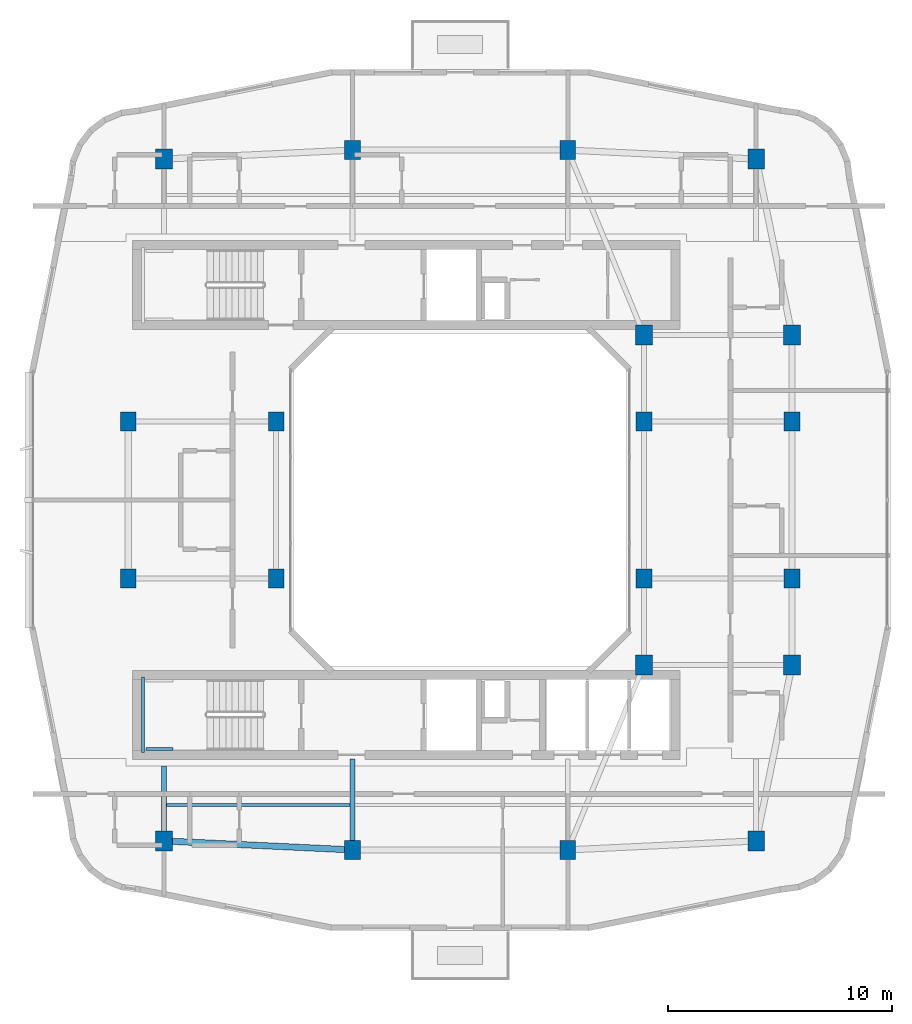
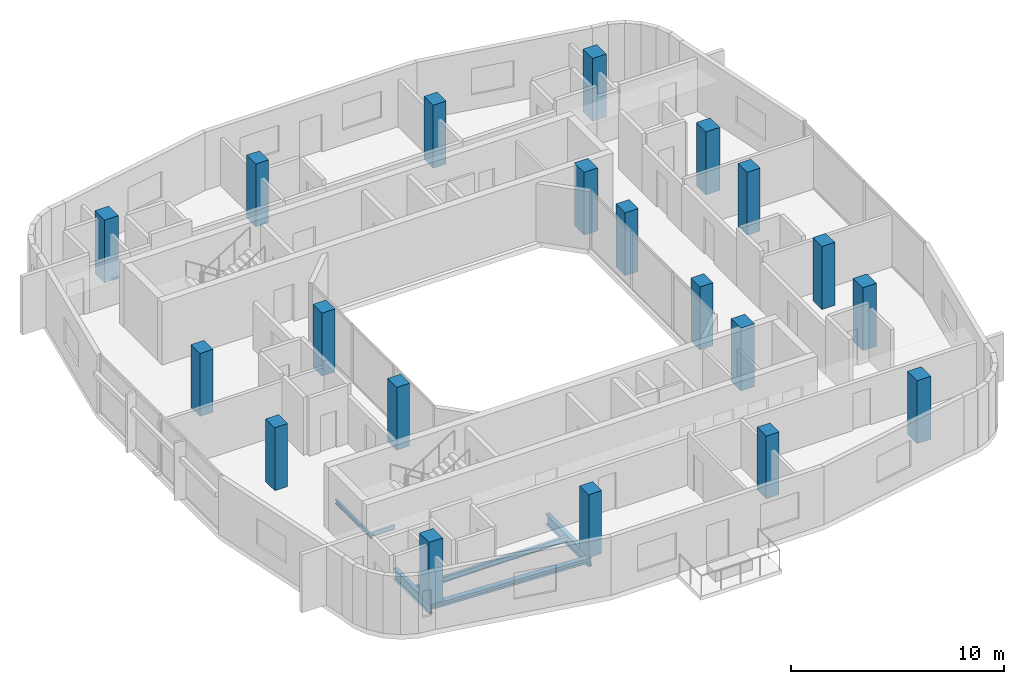
# One storey, part 1 of 13: 20 columns, 6 beams.
"""IFC4 building model written with IfcOpenShell, lengths in metres."""

from ifc_helpers import new_model, si_unit, derived_unit, direction, frame, origin, origin_2d, place, context, subcontext, project, spatial, rectangle, i_section, extrude, material, material_profile, profile_set, type_object, element, save


model = new_model("IFC4")

# Units and contexts
model_context = context("Model", 3, precision=1e-05, world=origin(), true_north=direction((0.0, 1.0)))
body_context = subcontext(model_context, "Body", "Model", "MODEL_VIEW")
ifc_project = project(units=[si_unit("LENGTHUNIT", "METRE"), si_unit("AREAUNIT", "SQUARE_METRE"), si_unit("VOLUMEUNIT", "CUBIC_METRE"), si_unit("PLANEANGLEUNIT", "RADIAN"), si_unit("MASSUNIT", "GRAM", prefix="KILO"), derived_unit("THERMALTRANSMITTANCEUNIT", [(si_unit("POWERUNIT", "WATT"), 1), (si_unit("LENGTHUNIT", "METRE"), -2), (si_unit("THERMODYNAMICTEMPERATUREUNIT", "KELVIN"), -1)])], contexts=[model_context])

# Site, building, storey
site_placement = place(None, origin())
site = spatial("IfcSite", under=ifc_project, at=site_placement, CompositionType="ELEMENT")
building_placement = place(site_placement, origin())
building = spatial("IfcBuilding", under=site, at=building_placement, Name="Kivonza Crest Hotel", CompositionType="ELEMENT")
storey_placement = place(building_placement, frame((0.0, 0.0, 220.699951171875)))
storey = spatial("IfcBuildingStorey", under=building, at=storey_placement, Name="L60", CompositionType="ELEMENT", Elevation=220.699951171875)

# Columns
ifc_material_1 = material(Name="Concrete C50/60", Category="concrete")
ifc_material_profile_1 = material_profile(ifc_material_1, rectangle(XDim=0.699951171875, YDim=0.85009765625, at=origin_2d()), Name="RC 850x700")
ifc_profile_set_1 = profile_set([ifc_material_profile_1], Name="Concrete C50/60")
column_type_1 = type_object("IfcColumnType", Name="CL-RC-850x700", PredefinedType="COLUMN", material=ifc_profile_set_1)
for number, where, z_axis, x_axis, name in (
    (1, (16.199951171875, 9.39990234375, 0.0), (0.0, 0.0, 1.0), (1.0, 0.0, 0.0), "Tower T1 L60 column S1"),
    (2, (25.800048828125, 9.39990234375, 0.0), (0.0, 0.0, 1.0), (1.0, 0.0, 0.0), "Tower T1 L60 column S2"),
    (3, (16.199951171875, 40.60009765625, 0.0), (0.0, 0.0, 1.0), (1.0, 0.0, 0.0), "Tower T1 L60 column N1"),
    (4, (25.800048828125, 40.60009765625, 0.0), (0.0, 0.0, 1.0), (1.0, 0.0, 0.0), "Tower T1 L60 column N2"),
    (5, (6.199951171875, 21.5, 0.0), (0.0, 0.0, 1.0), (1.0, 0.0, 0.0), "Tower T1 L60 column W1"),
    (6, (6.199951171875, 28.5, 0.0), (0.0, 0.0, 1.0), (1.0, 0.0, 0.0), "Tower T1 L60 column W2"),
    (7, (35.800048828125, 21.5, 0.0), (0.0, 0.0, 1.0), (1.0, 0.0, 0.0), "Tower T1 L60 column E1"),
    (8, (35.800048828125, 28.5, 0.0), (0.0, 0.0, 1.0), (1.0, 0.0, 0.0), "Tower T1 L60 column E2"),
    (9, (12.800048828125, 21.5, 0.0), (0.0, 0.0, 1.0), (1.0, 0.0, 0.0), "Tower T1 L60 column WL1"),
    (10, (12.800048828125, 28.5, 0.0), (0.0, 0.0, 1.0), (1.0, 0.0, 0.0), "Tower T1 L60 column WL2"),
    (11, (29.199951171875, 21.5, 0.0), (0.0, 0.0, 1.0), (1.0, 0.0, 0.0), "Tower T1 L60 column WR1"),
    (12, (29.199951171875, 28.5, 0.0), (0.0, 0.0, 1.0), (1.0, 0.0, 0.0), "Tower T1 L60 column WR2"),
):
    element("IfcColumn", number, at=place(storey_placement, frame(where, z_axis=z_axis, x_axis=x_axis)), inside=storey, type_object=column_type_1, Name=name, PredefinedType="COLUMN", context=body_context, shape_type="SweptSolid", body=[
        extrude(rectangle(XDim=0.699951171875, YDim=0.85009765625, at=origin_2d()), origin(), (0.0, 0.0, 1.0), 3.60009765625),
    ])
ifc_material_profile_2 = material_profile(ifc_material_1, rectangle(XDim=0.75, YDim=0.89990234375, at=origin_2d()), Name="RC 900x750")
ifc_profile_set_2 = profile_set([ifc_material_profile_2], Name="Concrete C50/60")
column_type_2 = type_object("IfcColumnType", Name="CL-RC-900x750", PredefinedType="COLUMN", material=ifc_profile_set_2)
for number, where, z_axis, x_axis, name in (
    (13, (7.800048828125, 9.800048828125, 0.0), (0.0, 0.0, 1.0), (1.0, 0.0, 0.0), "Tower T1 L60 column SW"),
    (14, (34.199951171875, 9.800048828125, 0.0), (0.0, 0.0, 1.0), (1.0, 0.0, 0.0), "Tower T1 L60 column SE"),
    (15, (34.199951171875, 40.199951171875, 0.0), (0.0, 0.0, 1.0), (1.0, 0.0, 0.0), "Tower T1 L60 column NE"),
    (16, (7.800048828125, 40.199951171875, 0.0), (0.0, 0.0, 1.0), (1.0, 0.0, 0.0), "Tower T1 L60 column NW"),
    (17, (35.800048828125, 17.64990234375, 0.0), (0.0, 0.0, 1.0), (1.0, 0.0, 0.0), "Tower T1 L60 column PSE"),
    (18, (35.800048828125, 32.35009765625, 0.0), (0.0, 0.0, 1.0), (1.0, 0.0, 0.0), "Tower T1 L60 column PNE"),
    (19, (29.199951171875, 17.64990234375, 0.0), (0.0, 0.0, 1.0), (1.0, 0.0, 0.0), "Tower T1 L60 column TSE"),
    (20, (29.199951171875, 32.35009765625, 0.0), (0.0, 0.0, 1.0), (1.0, 0.0, 0.0), "Tower T1 L60 column TNE"),
):
    element("IfcColumn", number, at=place(storey_placement, frame(where, z_axis=z_axis, x_axis=x_axis)), inside=storey, type_object=column_type_2, Name=name, PredefinedType="COLUMN", context=body_context, shape_type="SweptSolid", body=[
        extrude(rectangle(XDim=0.75, YDim=0.89990234375, at=origin_2d()), origin(), (0.0, 0.0, 1.0), 3.60009765625),
    ])

# Beams
ifc_material_2 = material(Name="Steel S355", Category="steel")
ifc_material_profile_3 = material_profile(ifc_material_2, i_section(OverallWidth=0.280029296875, OverallDepth=0.280029296875, WebThickness=0.010498046875, FlangeThickness=0.01806640625, FilletRadius=0.02392578125, at=origin_2d()), Name="HEB 280")
ifc_profile_set_3 = profile_set([ifc_material_profile_3], Name="Steel S355")
beam_type_1 = type_object("IfcBeamType", Name="BM-HEB280", PredefinedType="SPANDREL", material=ifc_profile_set_3)
beam_1_placement = place(storey_placement, frame((7.800048828125, 9.800048828125, -0.419921875), z_axis=(0.998867283688, -0.047583080799, 0.0), x_axis=(0.047583080799, 0.998867283688, 0.0)))
element("IfcBeam", 21, at=beam_1_placement, inside=storey, type_object=beam_type_1, Name="Tower T1 L60 perimeter spandrel SW-S1", PredefinedType="SPANDREL", context=body_context, shape_type="SweptSolid", body=[
    extrude(i_section(OverallWidth=0.280029296875, OverallDepth=0.280029296875, WebThickness=0.010498046875, FlangeThickness=0.01806640625, FilletRadius=0.02392578125, at=origin_2d()), origin(), (0.0, 0.0, 1.0), 8.409423828125),
])
ifc_material_profile_4 = material_profile(ifc_material_2, i_section(OverallWidth=0.14990234375, OverallDepth=0.300048828125, WebThickness=0.007080078125, FlangeThickness=0.0107421875, FilletRadius=0.014892578125, at=origin_2d()), Name="IPE 300")
ifc_profile_set_4 = profile_set([ifc_material_profile_4], Name="Steel S355")
beam_type_2 = type_object("IfcBeamType", Name="BM-IPE300", PredefinedType="JOIST", material=ifc_profile_set_4)
beam_2_placement = place(storey_placement, frame((7.8798828125, 11.39990234375, -0.429931640625), z_axis=(1.0, 0.0, 0.0), x_axis=(0.0, 1.0, 0.0)))
element("IfcBeam", 22, at=beam_2_placement, inside=storey, type_object=beam_type_2, Name="Tower T1 L60 South-West floor joist", PredefinedType="JOIST", context=body_context, shape_type="SweptSolid", body=[
    extrude(i_section(OverallWidth=0.14990234375, OverallDepth=0.300048828125, WebThickness=0.007080078125, FlangeThickness=0.0107421875, FilletRadius=0.014892578125, at=origin_2d()), origin(), (0.0, 0.0, 1.0), 8.240234375),
])
ifc_material_profile_5 = material_profile(ifc_material_2, i_section(OverallWidth=0.219970703125, OverallDepth=0.60009765625, WebThickness=0.011962890625, FlangeThickness=0.01904296875, FilletRadius=0.02392578125, at=origin_2d()), Name="IPE 600")
ifc_profile_set_5 = profile_set([ifc_material_profile_5], Name="Steel S355")
beam_type_3 = type_object("IfcBeamType", Name="BM-IPE600", PredefinedType="BEAM", material=ifc_profile_set_5)
beam_3_placement = place(storey_placement, frame((7.800048828125, 9.800048828125, -0.579833984375), z_axis=(0.0, 1.0, 0.0), x_axis=(-1.0, 0.0, 0.0)))
element("IfcBeam", 23, at=beam_3_placement, inside=storey, type_object=beam_type_3, Name="Tower T1 L60 radial core girder RSW", PredefinedType="BEAM", context=body_context, shape_type="SweptSolid", body=[
    extrude(i_section(OverallWidth=0.219970703125, OverallDepth=0.60009765625, WebThickness=0.011962890625, FlangeThickness=0.01904296875, FilletRadius=0.02392578125, at=origin_2d()), origin(), (0.0, 0.0, 1.0), 3.349853515625),
])
beam_4_placement = place(storey_placement, frame((16.199951171875, 9.39990234375, -0.579833984375), z_axis=(0.0, 1.0, 0.0), x_axis=(-1.0, 0.0, 0.0)))
element("IfcBeam", 24, at=beam_4_placement, inside=storey, type_object=beam_type_3, Name="Tower T1 L60 radial core girder RS1", PredefinedType="BEAM", context=body_context, shape_type="SweptSolid", body=[
    extrude(i_section(OverallWidth=0.219970703125, OverallDepth=0.60009765625, WebThickness=0.011962890625, FlangeThickness=0.01904296875, FilletRadius=0.02392578125, at=origin_2d()), origin(), (0.0, 0.0, 1.0), 4.050048828125),
])
ifc_material_profile_6 = material_profile(ifc_material_2, i_section(OverallWidth=0.1201171875, OverallDepth=0.239990234375, WebThickness=0.006103515625, FlangeThickness=0.009765625, FilletRadius=0.014892578125, at=origin_2d()), Name="IPE 240")
ifc_profile_set_6 = profile_set([ifc_material_profile_6], Name="Steel S355")
beam_type_4 = type_object("IfcBeamType", Name="BM-LLDG-240", PredefinedType="BEAM", material=ifc_profile_set_6)
beam_5_placement = place(storey_placement, frame((6.860107421875, 13.739990234375, 1.47998046875), z_axis=(0.0, 1.0, 0.0), x_axis=(-1.0, 0.0, 0.0)))
element("IfcBeam", 25, at=beam_5_placement, inside=storey, type_object=beam_type_4, Name="Stair ST-T1-S L60 West landing corbel", PredefinedType="BEAM", context=body_context, shape_type="SweptSolid", body=[
    extrude(i_section(OverallWidth=0.1201171875, OverallDepth=0.239990234375, WebThickness=0.006103515625, FlangeThickness=0.009765625, FilletRadius=0.014892578125, at=origin_2d()), origin(), (0.0, 0.0, 1.0), 3.360107421875),
])
beam_6_placement = place(storey_placement, frame((6.989990234375, 13.89990234375, 1.47998046875), z_axis=(1.0, 0.0, 0.0), x_axis=(0.0, 1.0, 0.0)))
element("IfcBeam", 26, at=beam_6_placement, inside=storey, type_object=beam_type_4, Name="Stair ST-T1-S L60 South landing corbel", PredefinedType="BEAM", context=body_context, shape_type="SweptSolid", body=[
    extrude(i_section(OverallWidth=0.1201171875, OverallDepth=0.239990234375, WebThickness=0.006103515625, FlangeThickness=0.009765625, FilletRadius=0.014892578125, at=origin_2d()), origin(), (0.0, 0.0, 1.0), 1.2099609375),
])

save(model, "model.ifc")
